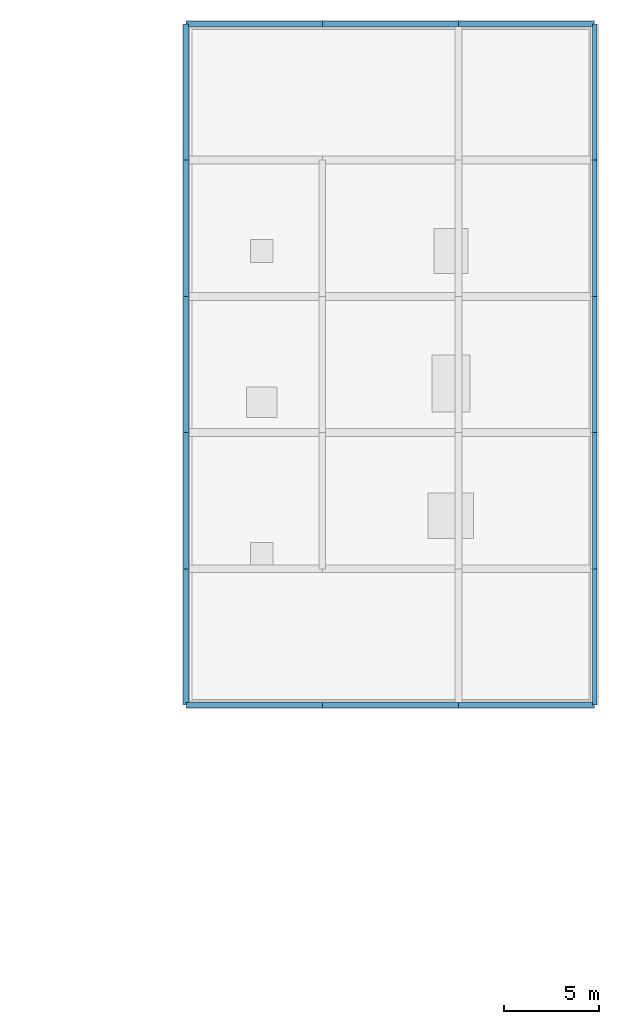
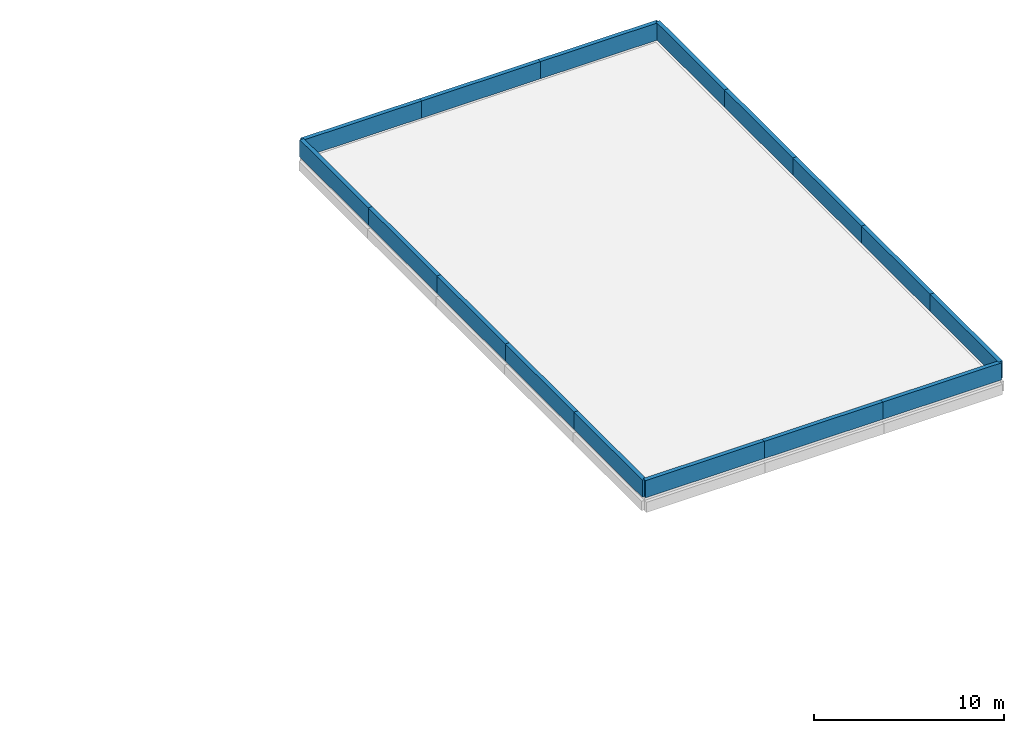
# One storey, part 16 of 18: 16 walls.
"""IFC4 building model written with IfcOpenShell, lengths in metres."""

from ifc_helpers import new_model, si_unit, direction, frame, frame_2d, origin, place, context, subcontext, project, spatial, rectangle, extrude, material, layer, layer_set, type_object, element, save


model = new_model("IFC4")

# Units and contexts
model_context = context("Model", 3, precision=1e-05, world=origin(), true_north=direction((0.0, 1.0)))
body_context = subcontext(model_context, "Body", "Model", "MODEL_VIEW")
ifc_project = project(units=[si_unit("LENGTHUNIT", "METRE"), si_unit("AREAUNIT", "SQUARE_METRE"), si_unit("VOLUMEUNIT", "CUBIC_METRE"), si_unit("PLANEANGLEUNIT", "RADIAN"), si_unit("MASSUNIT", "GRAM", prefix="KILO")], contexts=[model_context])

# Site, building, storey
site_placement = place(None, origin())
site = spatial("IfcSite", under=ifc_project, at=site_placement, CompositionType="ELEMENT")
building_placement = place(site_placement, origin())
building = spatial("IfcBuilding", under=site, at=building_placement, Name="Zornivar Specialist Clinic", CompositionType="ELEMENT")
storey_placement = place(building_placement, frame((0.0, 0.0, 23.39990234375)))
storey = spatial("IfcBuildingStorey", under=building, at=storey_placement, Name="L06", CompositionType="ELEMENT", Elevation=23.39990234375)

# Walls
ifc_material = material(Name="Masonry Laboratory Clerestory Stone Parapet", Category="masonry")
ifc_layer = layer(ifc_material, 0.25)
ifc_layer_set = layer_set([ifc_layer], Name="Masonry Laboratory Clerestory Stone Parapet")
wall_type = type_object("IfcWallType", Name="PW-PARAPET-250", PredefinedType="PARAPET", material=ifc_layer_set)
for number, where, z_axis, x_axis, name in (
    (1, (144.0, 72.0, 0.0), (0.0, 0.0, 1.0), (1.0, 0.0, 0.0), "pw:V6:L06:00"),
    (2, (151.199951171875, 72.0, 0.0), (0.0, 0.0, 1.0), (1.0, 0.0, 0.0), "pw:V6:L06:01"),
):
    element("IfcWall", number, at=place(storey_placement, frame(where, z_axis=z_axis, x_axis=x_axis)), inside=storey, type_object=wall_type, Name=name, PredefinedType="PARAPET", context=body_context, shape_type="SweptSolid", body=[
        extrude(rectangle(XDim=7.199951171875, YDim=0.25, at=frame_2d((3.60009765625, 0.0))), origin(), (0.0, 0.0, 1.0), 1.10009765625),
    ])
wall_1_placement = place(storey_placement, frame((158.39990234375, 72.0, 0.0), z_axis=(0.0, 0.0, 1.0), x_axis=(1.0, 0.0, 0.0)))
element("IfcWall", 3, at=wall_1_placement, inside=storey, type_object=wall_type, Name="pw:V6:L06:02", PredefinedType="PARAPET", context=body_context, shape_type="SweptSolid", body=[
    extrude(rectangle(XDim=7.2001953125, YDim=0.25, at=frame_2d((3.60009765625, 0.0))), origin(), (0.0, 0.0, 1.0), 1.10009765625),
])
for number, where, z_axis, x_axis, name in (
    (4, (165.60009765625, 72.0, 0.0), (0.0, 0.0, 1.0), (0.0, 1.0, 0.0), "pw:V6:L06:03"),
    (5, (165.60009765625, 79.199951171875, 0.0), (0.0, 0.0, 1.0), (0.0, 1.0, 0.0), "pw:V6:L06:04"),
):
    element("IfcWall", number, at=place(storey_placement, frame(where, z_axis=z_axis, x_axis=x_axis)), inside=storey, type_object=wall_type, Name=name, PredefinedType="PARAPET", context=body_context, shape_type="SweptSolid", body=[
        extrude(rectangle(XDim=7.199951171875, YDim=0.25, at=frame_2d((3.60009765625, 0.0))), origin(), (0.0, 0.0, 1.0), 1.10009765625),
    ])
wall_2_placement = place(storey_placement, frame((165.60009765625, 86.39990234375, 0.0), z_axis=(0.0, 0.0, 1.0), x_axis=(0.0, 1.0, 0.0)))
element("IfcWall", 6, at=wall_2_placement, inside=storey, type_object=wall_type, Name="pw:V6:L06:05", PredefinedType="PARAPET", context=body_context, shape_type="SweptSolid", body=[
    extrude(rectangle(XDim=7.2001953125, YDim=0.25, at=frame_2d((3.60009765625, 0.0))), origin(), (0.0, 0.0, 1.0), 1.10009765625),
])
for number, where, z_axis, x_axis, name in (
    (7, (165.60009765625, 93.60009765625, 0.0), (0.0, 0.0, 1.0), (0.0, 1.0, 0.0), "pw:V6:L06:06"),
    (8, (165.60009765625, 100.800048828125, 0.0), (0.0, 0.0, 1.0), (0.0, 1.0, 0.0), "pw:V6:L06:07"),
):
    element("IfcWall", number, at=place(storey_placement, frame(where, z_axis=z_axis, x_axis=x_axis)), inside=storey, type_object=wall_type, Name=name, PredefinedType="PARAPET", context=body_context, shape_type="SweptSolid", body=[
        extrude(rectangle(XDim=7.199951171875, YDim=0.25, at=frame_2d((3.60009765625, 0.0))), origin(), (0.0, 0.0, 1.0), 1.10009765625),
    ])
wall_3_placement = place(storey_placement, frame((165.60009765625, 108.0, 0.0), z_axis=(0.0, 0.0, 1.0), x_axis=(-1.0, 0.0, 0.0)))
element("IfcWall", 9, at=wall_3_placement, inside=storey, type_object=wall_type, Name="pw:V6:L06:08", PredefinedType="PARAPET", context=body_context, shape_type="SweptSolid", body=[
    extrude(rectangle(XDim=7.2001953125, YDim=0.25, at=frame_2d((3.60009765625, 0.0))), origin(), (0.0, 0.0, 1.0), 1.10009765625),
])
for number, where, z_axis, x_axis, name in (
    (10, (158.39990234375, 108.0, 0.0), (0.0, 0.0, 1.0), (-1.0, 0.0, 0.0), "pw:V6:L06:09"),
    (11, (151.199951171875, 108.0, 0.0), (0.0, 0.0, 1.0), (-1.0, 0.0, 0.0), "pw:V6:L06:10"),
    (12, (144.0, 108.0, 0.0), (0.0, 0.0, 1.0), (0.0, -1.0, 0.0), "pw:V6:L06:11"),
    (13, (144.0, 100.800048828125, 0.0), (0.0, 0.0, 1.0), (0.0, -1.0, 0.0), "pw:V6:L06:12"),
):
    element("IfcWall", number, at=place(storey_placement, frame(where, z_axis=z_axis, x_axis=x_axis)), inside=storey, type_object=wall_type, Name=name, PredefinedType="PARAPET", context=body_context, shape_type="SweptSolid", body=[
        extrude(rectangle(XDim=7.199951171875, YDim=0.25, at=frame_2d((3.60009765625, 0.0))), origin(), (0.0, 0.0, 1.0), 1.10009765625),
    ])
wall_4_placement = place(storey_placement, frame((144.0, 93.60009765625, 0.0), z_axis=(0.0, 0.0, 1.0), x_axis=(0.0, -1.0, 0.0)))
element("IfcWall", 14, at=wall_4_placement, inside=storey, type_object=wall_type, Name="pw:V6:L06:13", PredefinedType="PARAPET", context=body_context, shape_type="SweptSolid", body=[
    extrude(rectangle(XDim=7.2001953125, YDim=0.25, at=frame_2d((3.60009765625, 0.0))), origin(), (0.0, 0.0, 1.0), 1.10009765625),
])
for number, where, z_axis, x_axis, name in (
    (15, (144.0, 86.39990234375, 0.0), (0.0, 0.0, 1.0), (0.0, -1.0, 0.0), "pw:V6:L06:14"),
    (16, (144.0, 79.199951171875, 0.0), (0.0, 0.0, 1.0), (0.0, -1.0, 0.0), "pw:V6:L06:15"),
):
    element("IfcWall", number, at=place(storey_placement, frame(where, z_axis=z_axis, x_axis=x_axis)), inside=storey, type_object=wall_type, Name=name, PredefinedType="PARAPET", context=body_context, shape_type="SweptSolid", body=[
        extrude(rectangle(XDim=7.199951171875, YDim=0.25, at=frame_2d((3.60009765625, 0.0))), origin(), (0.0, 0.0, 1.0), 1.10009765625),
    ])

save(model, "model.ifc")
